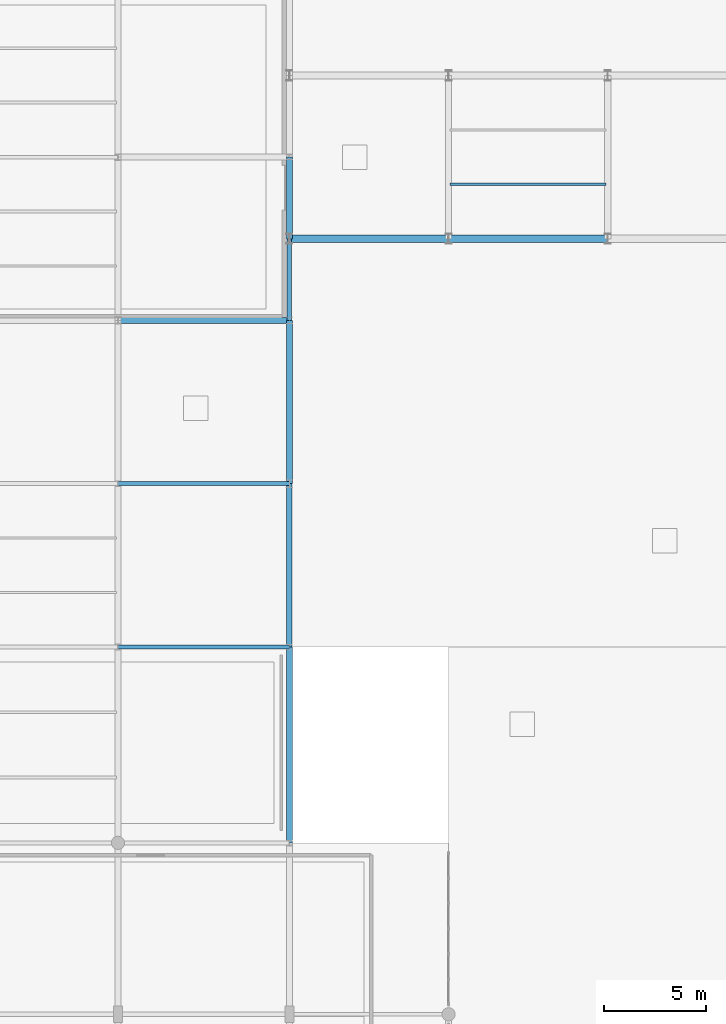
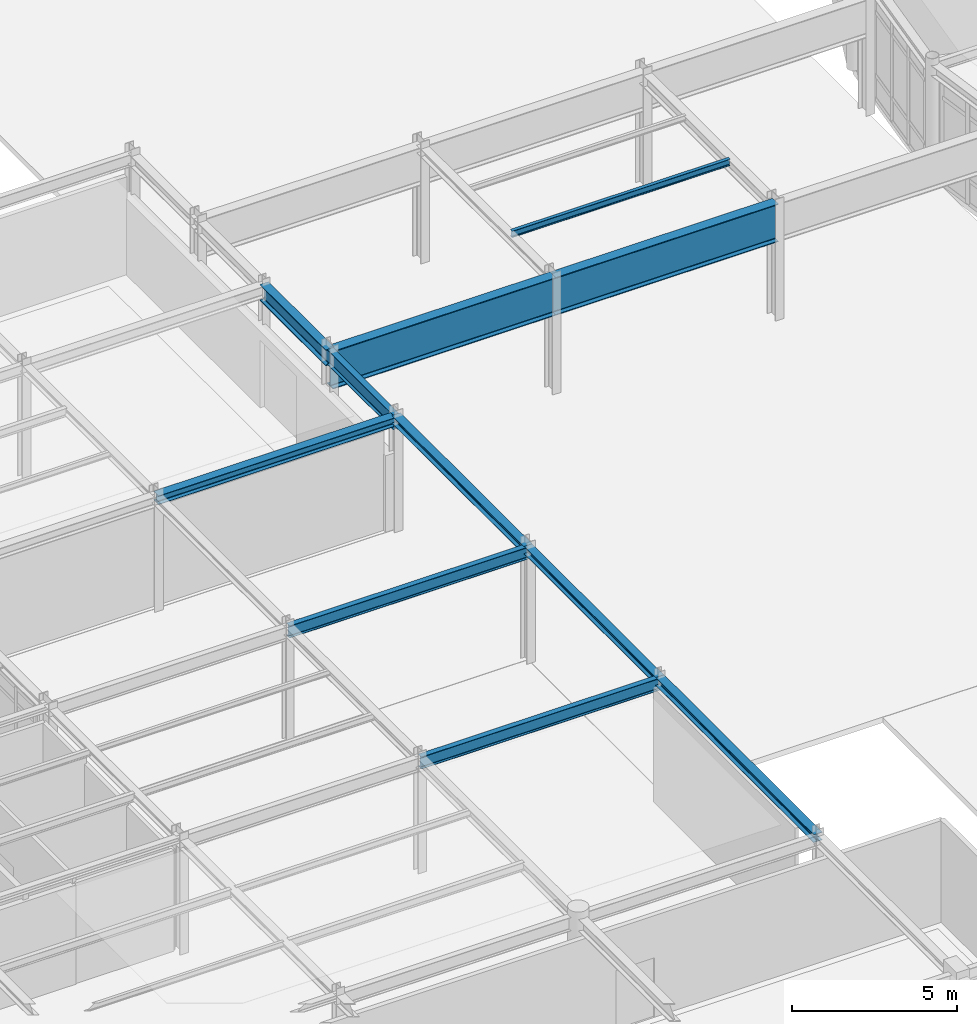
# One storey, part 28 of 101: 11 beams.
"""IFC4 building model written with IfcOpenShell, lengths in metres."""

from ifc_helpers import new_model, si_unit, derived_unit, direction, frame, origin, origin_2d, place, context, subcontext, project, spatial, i_section, extrude, material, material_profile, profile_set, type_object, element, save


model = new_model("IFC4")

# Units and contexts
model_context = context("Model", 3, precision=1e-05, world=origin(), true_north=direction((0.0, 1.0)))
body_context = subcontext(model_context, "Body", "Model", "MODEL_VIEW")
ifc_project = project(units=[si_unit("LENGTHUNIT", "METRE"), si_unit("AREAUNIT", "SQUARE_METRE"), si_unit("VOLUMEUNIT", "CUBIC_METRE"), si_unit("PLANEANGLEUNIT", "RADIAN"), si_unit("MASSUNIT", "GRAM", prefix="KILO"), derived_unit("THERMALTRANSMITTANCEUNIT", [(si_unit("POWERUNIT", "WATT"), 1), (si_unit("AREAUNIT", "SQUARE_METRE"), -1), (si_unit("THERMODYNAMICTEMPERATUREUNIT", "KELVIN"), -1)])], contexts=[model_context])

# Site, building, storey
site_placement = place(None, origin())
site = spatial("IfcSite", under=ifc_project, at=site_placement, CompositionType="ELEMENT")
building_placement = place(site_placement, origin())
building = spatial("IfcBuilding", under=site, at=building_placement, Name="Yasenodar Specialist Clinic", CompositionType="ELEMENT")
storey_placement = place(building_placement, origin())
storey = spatial("IfcBuildingStorey", under=building, at=storey_placement, Name="L00", CompositionType="ELEMENT", Elevation=0.0)

# Beams
ifc_material = material(Name="Steel S355", Category="steel")
ifc_material_profile_1 = material_profile(ifc_material, i_section(OverallWidth=0.300048828125, OverallDepth=0.2900390625, WebThickness=0.008544921875, FlangeThickness=0.013916015625, FilletRadius=0.027099609375, at=origin_2d()), Name="HEA 300")
ifc_profile_set_1 = profile_set([ifc_material_profile_1], Name="Steel S355")
beam_type_1 = type_object("IfcBeamType", Name="BM-HEA300", PredefinedType="BEAM", material=ifc_profile_set_1)
beam_1_placement = place(storey_placement, frame((33.60009765625, 42.800048828125, 4.10498046875), z_axis=(0.0, 1.0, 0.0), x_axis=(-1.0, 0.0, 0.0)))
element("IfcBeam", 1, at=beam_1_placement, inside=storey, type_object=beam_type_1, Name="L00 Primary N-S Girder", PredefinedType="BEAM", context=body_context, shape_type="SweptSolid", body=[
    extrude(i_section(OverallWidth=0.300048828125, OverallDepth=0.2900390625, WebThickness=0.008544921875, FlangeThickness=0.013916015625, FilletRadius=0.027099609375, at=origin_2d()), origin(), (0.0, 0.0, 1.0), 8.0),
])
ifc_material_profile_2 = material_profile(ifc_material, i_section(OverallWidth=0.300048828125, OverallDepth=0.330078125, WebThickness=0.009521484375, FlangeThickness=0.0166015625, FilletRadius=0.027099609375, at=origin_2d()), Name="HEA 340")
ifc_profile_set_2 = profile_set([ifc_material_profile_2], Name="Steel S355")
beam_type_2 = type_object("IfcBeamType", Name="BM-HEA340", PredefinedType="BEAM", material=ifc_profile_set_2)
beam_2_placement = place(storey_placement, frame((25.199951171875, 50.800048828125, 4.0849609375), z_axis=(1.0, 0.0, 0.0), x_axis=(0.0, 1.0, 0.0)))
element("IfcBeam", 2, at=beam_2_placement, inside=storey, type_object=beam_type_2, Name="L00 Primary E-W Girder", PredefinedType="BEAM", context=body_context, shape_type="SweptSolid", body=[
    extrude(i_section(OverallWidth=0.300048828125, OverallDepth=0.330078125, WebThickness=0.009521484375, FlangeThickness=0.0166015625, FilletRadius=0.027099609375, at=origin_2d()), origin(), (0.0, 0.0, 1.0), 8.400146484375),
])
ifc_material_profile_3 = material_profile(ifc_material, i_section(OverallWidth=0.280029296875, OverallDepth=0.280029296875, WebThickness=0.010498046875, FlangeThickness=0.01806640625, FilletRadius=0.02392578125, at=origin_2d()), Name="HEB 280")
ifc_profile_set_3 = profile_set([ifc_material_profile_3], Name="Steel S355")
beam_type_3 = type_object("IfcBeamType", Name="BM-HEB280", PredefinedType="BEAM", material=ifc_profile_set_3)
beam_3_placement = place(storey_placement, frame((33.60009765625, 34.800048828125, 4.110107421875), z_axis=(0.0, 1.0, 0.0), x_axis=(-1.0, 0.0, 0.0)))
element("IfcBeam", 3, at=beam_3_placement, inside=storey, type_object=beam_type_3, Name="L00 Primary N-S Girder", PredefinedType="BEAM", context=body_context, shape_type="SweptSolid", body=[
    extrude(i_section(OverallWidth=0.280029296875, OverallDepth=0.280029296875, WebThickness=0.010498046875, FlangeThickness=0.01806640625, FilletRadius=0.02392578125, at=origin_2d()), origin(), (0.0, 0.0, 1.0), 8.0),
])
ifc_material_profile_4 = material_profile(ifc_material, i_section(OverallWidth=0.300048828125, OverallDepth=0.300048828125, WebThickness=0.010986328125, FlangeThickness=0.01904296875, FilletRadius=0.027099609375, at=origin_2d()), Name="HEB 300")
ifc_profile_set_4 = profile_set([ifc_material_profile_4], Name="Steel S355")
beam_type_4 = type_object("IfcBeamType", Name="BM-HEB300", PredefinedType="BEAM", material=ifc_profile_set_4)
beam_4_placement = place(storey_placement, frame((33.60009765625, 25.199951171875, 4.10009765625), z_axis=(0.0, 1.0, 0.0), x_axis=(-1.0, 0.0, 0.0)))
element("IfcBeam", 4, at=beam_4_placement, inside=storey, type_object=beam_type_4, Name="L00 Primary N-S Girder", PredefinedType="BEAM", context=body_context, shape_type="SweptSolid", body=[
    extrude(i_section(OverallWidth=0.300048828125, OverallDepth=0.300048828125, WebThickness=0.010986328125, FlangeThickness=0.01904296875, FilletRadius=0.027099609375, at=origin_2d()), origin(), (0.0, 0.0, 1.0), 9.60009765625),
])
ifc_material_profile_5 = material_profile(ifc_material, i_section(OverallWidth=0.300048828125, OverallDepth=0.60009765625, WebThickness=0.015380859375, FlangeThickness=0.030029296875, FilletRadius=0.027099609375, at=origin_2d()), Name="HEB 600")
ifc_profile_set_5 = profile_set([ifc_material_profile_5], Name="Steel S355")
beam_type_5 = type_object("IfcBeamType", Name="BM-HEB600", PredefinedType="BEAM", material=ifc_profile_set_5)
beam_5_placement = place(storey_placement, frame((33.60009765625, 54.800048828125, 3.949951171875), z_axis=(0.0, 1.0, 0.0), x_axis=(-1.0, 0.0, 0.0)))
element("IfcBeam", 5, at=beam_5_placement, inside=storey, type_object=beam_type_5, Name="L00 Primary N-S Girder", PredefinedType="BEAM", context=body_context, shape_type="SweptSolid", body=[
    extrude(i_section(OverallWidth=0.300048828125, OverallDepth=0.60009765625, WebThickness=0.015380859375, FlangeThickness=0.030029296875, FilletRadius=0.027099609375, at=origin_2d()), origin(), (0.0, 0.0, 1.0), 4.0),
])
ifc_material_profile_6 = material_profile(ifc_material, i_section(OverallWidth=0.18994140625, OverallDepth=0.449951171875, WebThickness=0.009521484375, FlangeThickness=0.0146484375, FilletRadius=0.02099609375, at=origin_2d()), Name="IPE 450")
ifc_profile_set_6 = profile_set([ifc_material_profile_6], Name="Steel S355")
beam_type_6 = type_object("IfcBeamType", Name="BM-IPE450", PredefinedType="BEAM", material=ifc_profile_set_6)
for number, where, z_axis, x_axis, name in (
    (6, (25.199951171875, 34.800048828125, 4.02490234375), (1.0, 0.0, 0.0), (0.0, 1.0, 0.0), "L00 Primary E-W Girder"),
    (7, (25.199951171875, 42.800048828125, 4.02490234375), (1.0, 0.0, 0.0), (0.0, 1.0, 0.0), "L00 Primary E-W Girder"),
):
    element("IfcBeam", number, at=place(storey_placement, frame(where, z_axis=z_axis, x_axis=x_axis)), inside=storey, type_object=beam_type_6, Name=name, PredefinedType="BEAM", context=body_context, shape_type="SweptSolid", body=[
        extrude(i_section(OverallWidth=0.18994140625, OverallDepth=0.449951171875, WebThickness=0.009521484375, FlangeThickness=0.0146484375, FilletRadius=0.02099609375, at=origin_2d()), origin(), (0.0, 0.0, 1.0), 8.400146484375),
    ])
ifc_material_profile_7 = material_profile(ifc_material, i_section(OverallWidth=0.2099609375, OverallDepth=0.550048828125, WebThickness=0.010986328125, FlangeThickness=0.01708984375, FilletRadius=0.02392578125, at=origin_2d()), Name="IPE 550")
ifc_profile_set_7 = profile_set([ifc_material_profile_7], Name="Steel S355")
beam_type_7 = type_object("IfcBeamType", Name="BM-IPE550", PredefinedType="BEAM", material=ifc_profile_set_7)
beam_6_placement = place(storey_placement, frame((33.60009765625, 50.800048828125, 3.97509765625), z_axis=(0.0, 1.0, 0.0), x_axis=(-1.0, 0.0, 0.0)))
element("IfcBeam", 8, at=beam_6_placement, inside=storey, type_object=beam_type_7, Name="L00 Primary N-S Girder", PredefinedType="BEAM", context=body_context, shape_type="SweptSolid", body=[
    extrude(i_section(OverallWidth=0.2099609375, OverallDepth=0.550048828125, WebThickness=0.010986328125, FlangeThickness=0.01708984375, FilletRadius=0.02392578125, at=origin_2d()), origin(), (0.0, 0.0, 1.0), 4.0),
])
ifc_material_profile_8 = material_profile(ifc_material, i_section(OverallWidth=0.35009765625, OverallDepth=1.39990234375, WebThickness=0.01611328125, FlangeThickness=0.028076171875, FilletRadius=0.02392578125, at=origin_2d()), Name="PG 1400x350")
ifc_profile_set_8 = profile_set([ifc_material_profile_8], Name="Steel S355")
beam_type_8 = type_object("IfcBeamType", Name="BM-PG-1400", PredefinedType="BEAM", material=ifc_profile_set_8)
beam_7_placement = place(storey_placement, frame((33.60009765625, 54.800048828125, 3.550048828125), z_axis=(1.0, 0.0, 0.0), x_axis=(0.0, 1.0, 0.0)))
element("IfcBeam", 9, at=beam_7_placement, inside=storey, type_object=beam_type_8, Name="L00 Light Bridge Plate Girder", PredefinedType="BEAM", context=body_context, shape_type="SweptSolid", body=[
    extrude(i_section(OverallWidth=0.35009765625, OverallDepth=1.39990234375, WebThickness=0.01611328125, FlangeThickness=0.028076171875, FilletRadius=0.02392578125, at=origin_2d()), origin(), (0.0, 0.0, 1.0), 7.7998046875),
])
beam_8_placement = place(storey_placement, frame((41.39990234375, 54.800048828125, 3.550048828125), z_axis=(1.0, 0.0, 0.0), x_axis=(0.0, 1.0, 0.0)))
element("IfcBeam", 10, at=beam_8_placement, inside=storey, type_object=beam_type_8, Name="L00 Light Bridge Plate Girder", PredefinedType="BEAM", context=body_context, shape_type="SweptSolid", body=[
    extrude(i_section(OverallWidth=0.35009765625, OverallDepth=1.39990234375, WebThickness=0.01611328125, FlangeThickness=0.028076171875, FilletRadius=0.02392578125, at=origin_2d()), origin(), (0.0, 0.0, 1.0), 7.800048828125),
])
ifc_material_profile_9 = material_profile(ifc_material, i_section(OverallWidth=0.1201171875, OverallDepth=0.239990234375, WebThickness=0.006103515625, FlangeThickness=0.009765625, FilletRadius=0.014892578125, at=origin_2d()), Name="IPE 240")
ifc_profile_set_9 = profile_set([ifc_material_profile_9], Name="Steel S355")
beam_type_9 = type_object("IfcBeamType", Name="JS-IPE240", PredefinedType="JOIST", material=ifc_profile_set_9)
beam_9_placement = place(storey_placement, frame((41.47998046875, 57.466796875, 4.1298828125), z_axis=(1.0, 0.0, 0.0), x_axis=(0.0, 1.0, 0.0)))
element("IfcBeam", 11, at=beam_9_placement, inside=storey, type_object=beam_type_9, Name="L00 Composite Floor Joist", PredefinedType="JOIST", context=body_context, shape_type="SweptSolid", body=[
    extrude(i_section(OverallWidth=0.1201171875, OverallDepth=0.239990234375, WebThickness=0.006103515625, FlangeThickness=0.009765625, FilletRadius=0.014892578125, at=origin_2d()), origin(), (0.0, 0.0, 1.0), 7.64013671875),
])

save(model, "model.ifc")
